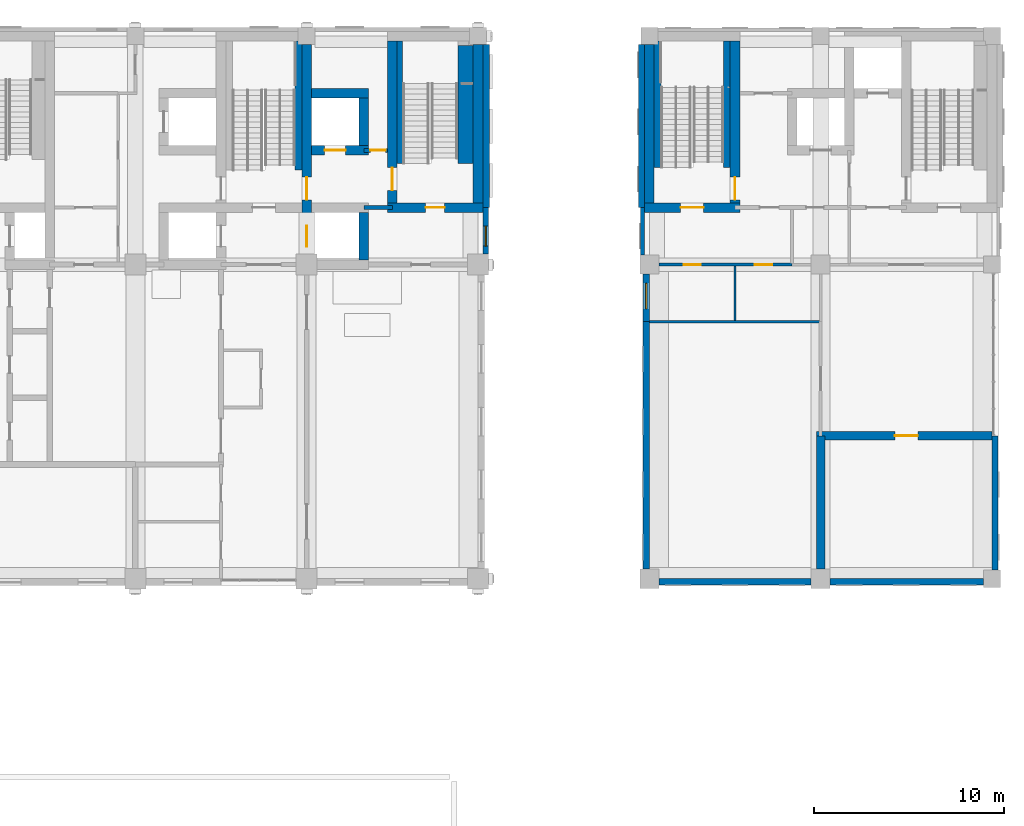
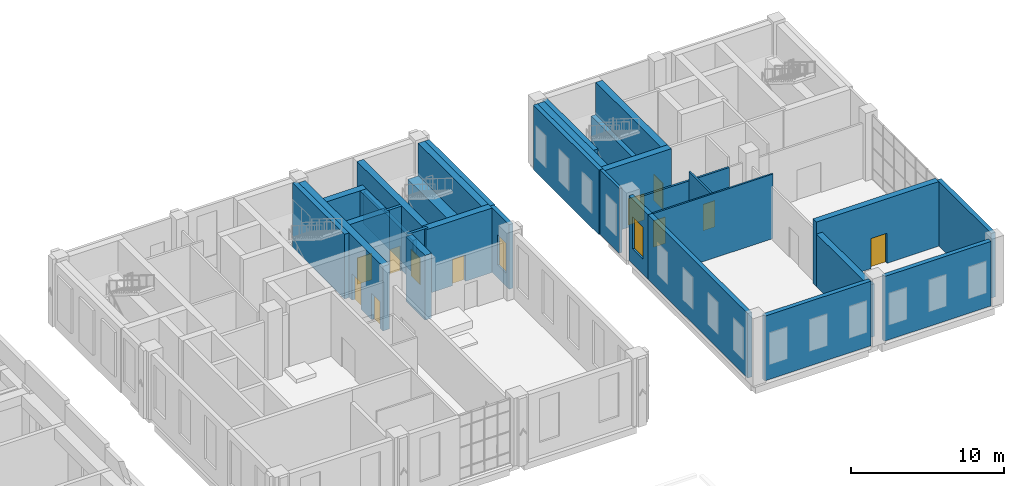
# One storey, part 23 of 37: 32 walls, 11 doors, 2 windows, 13 openings.
"""IFC4 building model written with IfcOpenShell, lengths in metres."""

from ifc_helpers import new_model, si_unit, direction, frame, frame_2d, origin, place, context, subcontext, project, spatial, rectangle, extrude, material, layer, layer_set, type_object, element, fill, save


model = new_model("IFC4")

# Units and contexts
model_context = context("Model", 3, precision=1e-05, world=origin(), true_north=direction((0.0, 1.0)))
body_context = subcontext(model_context, "Body", "Model", "MODEL_VIEW")
ifc_project = project(units=[si_unit("LENGTHUNIT", "METRE"), si_unit("AREAUNIT", "SQUARE_METRE"), si_unit("VOLUMEUNIT", "CUBIC_METRE"), si_unit("PLANEANGLEUNIT", "RADIAN"), si_unit("MASSUNIT", "GRAM", prefix="KILO")], contexts=[model_context])

# Site, building, storey
site_placement = place(None, origin())
site = spatial("IfcSite", under=ifc_project, at=site_placement, CompositionType="ELEMENT")
building_placement = place(site_placement, origin())
building = spatial("IfcBuilding", under=site, at=building_placement, Name="Aurelan Courthouse", CompositionType="ELEMENT")
storey_placement = place(building_placement, frame((0.0, 0.0, 17.39990234375)))
storey = spatial("IfcBuildingStorey", under=building, at=storey_placement, Name="L03", CompositionType="ELEMENT", Elevation=17.39990234375)

# Wall, opening, door
ifc_material_1 = material(Name="Reinforced concrete block", Category="concrete")
ifc_layer_1 = layer(ifc_material_1, 0.449951171875)
ifc_layer_set_1 = layer_set([ifc_layer_1], Name="Reinforced concrete block")
wall_type_1 = type_object("IfcWallType", Name="Archive fire wall 450 EI 60", PredefinedType="PARTITIONING", material=ifc_layer_set_1)
wall_1_placement = place(storey_placement, frame((80.77490234375, 45.0, 0.0), z_axis=(0.0, 0.0, 1.0), x_axis=(1.0, 0.0, 0.0)))
wall_1 = element("IfcWall", 1, at=wall_1_placement, inside=storey, type_object=wall_type_1, Name="Archive fire wall L03-020", PredefinedType="PARTITIONING", context=body_context, shape_type="SweptSolid", body=[
    extrude(rectangle(XDim=9.22509765625, YDim=0.449951171875, at=frame_2d((4.612548828125, 0.0))), origin(), (0.0, 0.0, 1.0), 5.150146484375),
])
opening_1_placement = place(wall_1_placement, frame((4.125, 0.0, 0.0)))
opening_1 = element("IfcOpeningElement", 2, at=opening_1_placement, cuts=wall_1, Name="Opening D-L03-046", PredefinedType="OPENING", context=body_context, shape_type="SweptSolid", body=[
    extrude(rectangle(XDim=1.199951171875, YDim=2.39990234375, at=frame_2d((0.60009765625, 1.199951171875))), frame((0.0, 0.23486328125, 0.0), z_axis=(0.0, -1.0, 0.0), x_axis=(1.0, 0.0, 0.0)), (0.0, 0.0, 1.0), 0.469970703125),
])
ifc_material_2 = material(Name="Steel", Category="steel")
door_type_1 = type_object("IfcDoorType", Name="Single door 1200 x 2400 FD60", OperationType="SINGLE_SWING_LEFT", PredefinedType="DOOR", material=ifc_material_2)
door_1_placement = place(opening_1_placement, origin())
door_1 = element("IfcDoor", 3, at=door_1_placement, inside=storey, type_object=door_type_1, Name="Single door D-L03-046", OperationType="SINGLE_SWING_LEFT", OverallHeight=2.39990234375, OverallWidth=1.199951171875, PredefinedType="DOOR", context=body_context, shape_type="SweptSolid", body=[
    extrude(rectangle(XDim=1.199951171875, YDim=2.39990234375, at=frame_2d((0.60009765625, 1.199951171875))), frame((0.0, 0.02490234375, 0.0), z_axis=(0.0, -1.0, 0.0), x_axis=(1.0, 0.0, 0.0)), (0.0, 0.0, 1.0), 0.050048828125),
])
fill(opening_1, door_1)

# Wall
wall_2_placement = place(storey_placement, frame((81.0, 38.0, 0.0), z_axis=(0.0, 0.0, 1.0), x_axis=(0.0, 1.0, 0.0)))
element("IfcWall", 4, at=wall_2_placement, inside=storey, type_object=wall_type_1, Name="Archive fire wall L03-076", PredefinedType="PARTITIONING", context=body_context, shape_type="SweptSolid", body=[
    extrude(rectangle(XDim=7.0, YDim=0.449951171875, at=frame_2d((3.5, 0.0))), origin(), (0.0, 0.0, 1.0), 4.2001953125),
])

# Wall, openings, doors
ifc_material_3 = material(Name="Gypsum board on metal studs")
ifc_layer_2 = layer(ifc_material_3, 0.14990234375)
ifc_layer_set_2 = layer_set([ifc_layer_2], Name="Gypsum board on metal studs")
wall_type_2 = type_object("IfcWallType", Name="Corridor partition 150 EI 60", PredefinedType="PARTITIONING", material=ifc_layer_set_2)
wall_3_placement = place(storey_placement, frame((72.5, 54.0, 0.0), z_axis=(0.0, 0.0, 1.0), x_axis=(1.0, 0.0, 0.0)))
wall_3 = element("IfcWall", 5, at=wall_3_placement, inside=storey, type_object=wall_type_2, Name="Corridor partition L03-035", PredefinedType="PARTITIONING", context=body_context, shape_type="SweptSolid", body=[
    extrude(rectangle(XDim=7.0, YDim=0.14990234375, at=frame_2d((3.5, 0.0))), origin(), (0.0, 0.0, 1.0), 4.400146484375),
])
opening_2_placement = place(wall_3_placement, frame((2.199951171875, 0.0, 0.0), z_axis=(0.0, 0.0, 1.0), x_axis=(-1.0, 0.0, 0.0)))
opening_2 = element("IfcOpeningElement", 6, at=opening_2_placement, cuts=wall_3, Name="Opening D-L03-043", PredefinedType="OPENING", context=body_context, shape_type="SweptSolid", body=[
    extrude(rectangle(XDim=0.89990234375, YDim=2.10009765625, at=frame_2d((0.449951171875, 1.050048828125))), frame((0.0, 0.0849609375, 0.0), z_axis=(0.0, -1.0, 0.0), x_axis=(1.0, 0.0, 0.0)), (0.0, 0.0, 1.0), 0.169921875),
])
opening_3_placement = place(wall_3_placement, frame((5.949951171875, 0.0, 0.0), z_axis=(0.0, 0.0, 1.0), x_axis=(-1.0, 0.0, 0.0)))
opening_3 = element("IfcOpeningElement", 7, at=opening_3_placement, cuts=wall_3, Name="Opening D-L03-044", PredefinedType="OPENING", context=body_context, shape_type="SweptSolid", body=[
    extrude(rectangle(XDim=0.89990234375, YDim=2.10009765625, at=frame_2d((0.449951171875, 1.050048828125))), frame((0.0, 0.0849609375, 0.0), z_axis=(0.0, -1.0, 0.0), x_axis=(1.0, 0.0, 0.0)), (0.0, 0.0, 1.0), 0.169921875),
])
door_type_2 = type_object("IfcDoorType", Name="Single door 900 x 2100 FD60", OperationType="SINGLE_SWING_LEFT", PredefinedType="DOOR", material=ifc_material_2)
door_2_placement = place(opening_2_placement, origin())
door_2 = element("IfcDoor", 8, at=door_2_placement, inside=storey, type_object=door_type_2, Name="Single door D-L03-043", OperationType="SINGLE_SWING_LEFT", OverallHeight=2.10009765625, OverallWidth=0.89990234375, PredefinedType="DOOR", context=body_context, shape_type="SweptSolid", body=[
    extrude(rectangle(XDim=0.89990234375, YDim=2.10009765625, at=frame_2d((0.449951171875, 1.050048828125))), frame((0.0, 0.02490234375, 0.0), z_axis=(0.0, -1.0, 0.0), x_axis=(1.0, 0.0, 0.0)), (0.0, 0.0, 1.0), 0.050048828125),
])
fill(opening_2, door_2)
door_3_placement = place(opening_3_placement, origin())
door_3 = element("IfcDoor", 9, at=door_3_placement, inside=storey, type_object=door_type_2, Name="Single door D-L03-044", OperationType="SINGLE_SWING_RIGHT", OverallHeight=2.10009765625, OverallWidth=0.89990234375, PredefinedType="DOOR", context=body_context, shape_type="SweptSolid", body=[
    extrude(rectangle(XDim=0.89990234375, YDim=2.10009765625, at=frame_2d((0.449951171875, 1.050048828125))), frame((0.0, 0.02490234375, 0.0), z_axis=(0.0, -1.0, 0.0), x_axis=(1.0, 0.0, 0.0)), (0.0, 0.0, 1.0), 0.050048828125),
])
fill(opening_3, door_3)

# Wall, opening, window
ifc_material_4 = material(Name="Limestone cladding", Category="masonry")
ifc_layer_3 = layer(ifc_material_4, 0.0849609375, Name="Facing")
ifc_material_5 = material(Name="Ventilated cavity")
ifc_layer_4 = layer(ifc_material_5, 0.02490234375, ventilated=True, Name="Ventilated cavity")
ifc_material_6 = material(Name="Mineral wool insulation")
ifc_layer_5 = layer(ifc_material_6, 0.044921875, Name="Insulation")
ifc_material_7 = material(Name="Concrete C30", Category="concrete")
ifc_layer_6 = layer(ifc_material_7, 0.14501953125, Name="Structure")
ifc_layer_set_3 = layer_set([ifc_layer_3, ifc_layer_4, ifc_layer_5, ifc_layer_6], Name="Concrete C30")
wall_type_3 = type_object("IfcWallType", Name="Courtroom Block stone-faced wall 300", PredefinedType="SOLIDWALL", material=ifc_layer_set_3)
wall_4_placement = place(storey_placement, frame((63.39990234375, 54.550048828125, 0.0), z_axis=(0.0, 0.0, 1.0), x_axis=(0.0, 1.0, 0.0)))
wall_4 = element("IfcWall", 10, at=wall_4_placement, inside=storey, type_object=wall_type_3, Name="Facade wall FW-V2-L03-008", PredefinedType="SOLIDWALL", context=body_context, shape_type="SweptSolid", body=[
    extrude(rectangle(XDim=2.449951171875, YDim=0.300048828125, at=frame_2d((1.22509765625, 0.0))), origin(), (0.0, 0.0, 1.0), 5.150146484375),
])
opening_4_placement = place(wall_4_placement, frame((0.425048828125, 0.0, 1.050048828125)))
opening_4 = element("IfcOpeningElement", 11, at=opening_4_placement, cuts=wall_4, Name="Opening WN-V2-L03-013", PredefinedType="OPENING", context=body_context, shape_type="SweptSolid", body=[
    extrude(rectangle(XDim=1.050048828125, YDim=2.39990234375, at=frame_2d((0.52490234375, 1.199951171875))), frame((0.0, 0.159912109375, 0.0), z_axis=(0.0, -1.0, 0.0), x_axis=(1.0, 0.0, 0.0)), (0.0, 0.0, 1.0), 0.320068359375),
])
ifc_material_8 = material(Name="Bronze-finished aluminium and glass", Category="aluminium")
window_type_1 = type_object("IfcWindowType", Name="Courtroom Block window 1050 x 2400, sill 1050", PartitioningType="SINGLE_PANEL", PredefinedType="WINDOW", material=ifc_material_8)
window_1_placement = place(opening_4_placement, origin())
window_1 = element("IfcWindow", 12, at=window_1_placement, inside=storey, type_object=window_type_1, Name="Window WN-V2-L03-013", OverallHeight=2.39990234375, OverallWidth=1.050048828125, PartitioningType="SINGLE_PANEL", PredefinedType="WINDOW", context=body_context, shape_type="SweptSolid", body=[
    extrude(rectangle(XDim=1.050048828125, YDim=2.39990234375, at=frame_2d((0.52490234375, 1.199951171875))), frame((0.0, 0.030029296875, 0.0), z_axis=(0.0, -1.0, 0.0), x_axis=(1.0, 0.0, 0.0)), (0.0, 0.0, 1.0), 0.06005859375),
])
fill(opening_4, window_1)

# Walls
ifc_layer_7 = layer(ifc_material_4, 0.10009765625, Name="Facing")
ifc_layer_8 = layer(ifc_material_5, 0.02490234375, ventilated=True, Name="Ventilated cavity")
ifc_layer_9 = layer(ifc_material_6, 0.050048828125, Name="Insulation")
ifc_layer_10 = layer(ifc_material_7, 0.175048828125, Name="Structure")
ifc_layer_set_4 = layer_set([ifc_layer_7, ifc_layer_8, ifc_layer_9, ifc_layer_10], Name="Concrete C30")
wall_type_4 = type_object("IfcWallType", Name="Courtroom Block stone-faced wall 350", PredefinedType="SOLIDWALL", material=ifc_layer_set_4)
wall_5_placement = place(storey_placement, frame((63.425048828125, 57.0, 0.0), z_axis=(0.0, 0.0, 1.0), x_axis=(0.0, 1.0, 0.0)))
element("IfcWall", 13, at=wall_5_placement, inside=storey, type_object=wall_type_4, Name="Facade wall FW-V2-L03-009", PredefinedType="SOLIDWALL", context=body_context, shape_type="SweptSolid", body=[
    extrude(rectangle(XDim=8.550048828125, YDim=0.35009765625, at=frame_2d((4.27490234375, 0.0))), origin(), (0.0, 0.0, 1.0), 5.150146484375),
])
ifc_layer_11 = layer(ifc_material_4, 0.06494140625, Name="Facing")
ifc_layer_12 = layer(ifc_material_5, 0.02490234375, ventilated=True, Name="Ventilated cavity")
ifc_layer_13 = layer(ifc_material_6, 0.030029296875, Name="Insulation")
ifc_layer_14 = layer(ifc_material_7, 0.10009765625, Name="Structure")
ifc_layer_set_5 = layer_set([ifc_layer_11, ifc_layer_12, ifc_layer_13, ifc_layer_14], Name="Concrete C30")
wall_type_5 = type_object("IfcWallType", Name="Law Library stone-faced wall 220", PredefinedType="SOLIDWALL", material=ifc_layer_set_5)
wall_6_placement = place(storey_placement, frame((71.639892578125, 54.5, 0.0), z_axis=(0.0, 0.0, 1.0), x_axis=(0.0, 1.0, 0.0)))
element("IfcWall", 14, at=wall_6_placement, inside=storey, type_object=wall_type_5, Name="Facade wall FW-V3-L03-010", PredefinedType="SOLIDWALL", context=body_context, shape_type="SweptSolid", body=[
    extrude(rectangle(XDim=2.5, YDim=0.219970703125, at=frame_2d((1.25, 0.0))), origin(), (0.0, 0.0, 1.0), 5.150146484375),
])
ifc_layer_15 = layer(ifc_material_4, 0.090087890625, Name="Facing")
ifc_layer_16 = layer(ifc_material_5, 0.02490234375, ventilated=True, Name="Ventilated cavity")
ifc_layer_17 = layer(ifc_material_6, 0.044921875, Name="Insulation")
ifc_layer_18 = layer(ifc_material_7, 0.159912109375, Name="Structure")
ifc_layer_set_6 = layer_set([ifc_layer_15, ifc_layer_16, ifc_layer_17, ifc_layer_18], Name="Concrete C30")
wall_type_6 = type_object("IfcWallType", Name="Law Library stone-faced wall 320", PredefinedType="SOLIDWALL", material=ifc_layer_set_6)
wall_7_placement = place(storey_placement, frame((72.5, 37.340087890625, 0.0), z_axis=(0.0, 0.0, 1.0), x_axis=(1.0, 0.0, 0.0)))
element("IfcWall", 15, at=wall_7_placement, inside=storey, type_object=wall_type_6, Name="Facade wall FW-V3-L03-001", PredefinedType="SOLIDWALL", context=body_context, shape_type="SweptSolid", body=[
    extrude(rectangle(XDim=8.0, YDim=0.320068359375, at=frame_2d((4.0, 0.0))), origin(), (0.0, 0.0, 1.0), 5.150146484375),
])
wall_8_placement = place(storey_placement, frame((81.5, 37.340087890625, 0.0), z_axis=(0.0, 0.0, 1.0), x_axis=(1.0, 0.0, 0.0)))
element("IfcWall", 16, at=wall_8_placement, inside=storey, type_object=wall_type_6, Name="Facade wall FW-V3-L03-002", PredefinedType="SOLIDWALL", context=body_context, shape_type="SweptSolid", body=[
    extrude(rectangle(XDim=8.050048828125, YDim=0.320068359375, at=frame_2d((4.02490234375, 0.0))), origin(), (0.0, 0.0, 1.0), 5.150146484375),
])
wall_9_placement = place(storey_placement, frame((90.159912109375, 37.949951171875, 0.0), z_axis=(0.0, 0.0, 1.0), x_axis=(0.0, 1.0, 0.0)))
element("IfcWall", 17, at=wall_9_placement, inside=storey, type_object=wall_type_6, Name="Facade wall FW-V3-L03-005", PredefinedType="SOLIDWALL", context=body_context, shape_type="SweptSolid", body=[
    extrude(rectangle(XDim=7.050048828125, YDim=0.320068359375, at=frame_2d((3.52490234375, 0.0))), origin(), (0.0, 0.0, 1.0), 5.150146484375),
])
wall_10_placement = place(storey_placement, frame((71.840087890625, 38.0, 0.0), z_axis=(0.0, 0.0, 1.0), x_axis=(0.0, 1.0, 0.0)))
element("IfcWall", 18, at=wall_10_placement, inside=storey, type_object=wall_type_6, Name="Facade wall FW-V3-L03-008", PredefinedType="SOLIDWALL", context=body_context, shape_type="SweptSolid", body=[
    extrude(rectangle(XDim=13.0, YDim=0.320068359375, at=frame_2d((6.5, 0.0))), origin(), (0.0, 0.0, 1.0), 5.150146484375),
])

# Wall, opening, window
wall_11_placement = place(storey_placement, frame((71.840087890625, 51.0, 0.0), z_axis=(0.0, 0.0, 1.0), x_axis=(0.0, 1.0, 0.0)))
wall_11 = element("IfcWall", 19, at=wall_11_placement, inside=storey, type_object=wall_type_6, Name="Facade wall FW-V3-L03-009", PredefinedType="SOLIDWALL", context=body_context, shape_type="SweptSolid", body=[
    extrude(rectangle(XDim=2.5, YDim=0.320068359375, at=frame_2d((1.25, 0.0))), origin(), (0.0, 0.0, 1.0), 5.150146484375),
])
opening_5_placement = place(wall_11_placement, frame((0.675048828125, 0.0, 1.199951171875)))
opening_5 = element("IfcOpeningElement", 20, at=opening_5_placement, cuts=wall_11, Name="Opening WN-V3-L03-001", PredefinedType="OPENING", context=body_context, shape_type="SweptSolid", body=[
    extrude(rectangle(XDim=1.35009765625, YDim=2.550048828125, at=frame_2d((0.675048828125, 1.27490234375))), frame((0.0, 0.169921875, 0.0), z_axis=(0.0, -1.0, 0.0), x_axis=(1.0, 0.0, 0.0)), (0.0, 0.0, 1.0), 0.340087890625),
])
window_type_2 = type_object("IfcWindowType", Name="Law Library window 1350 x 2550, sill 1200", PartitioningType="SINGLE_PANEL", PredefinedType="WINDOW", material=ifc_material_8)
window_2_placement = place(opening_5_placement, origin())
window_2 = element("IfcWindow", 21, at=window_2_placement, inside=storey, type_object=window_type_2, Name="Window WN-V3-L03-001", OverallHeight=2.550048828125, OverallWidth=1.35009765625, PartitioningType="SINGLE_PANEL", PredefinedType="WINDOW", context=body_context, shape_type="SweptSolid", body=[
    extrude(rectangle(XDim=1.35009765625, YDim=2.550048828125, at=frame_2d((0.675048828125, 1.27490234375))), frame((0.0, 0.030029296875, 0.0), z_axis=(0.0, -1.0, 0.0), x_axis=(1.0, 0.0, 0.0)), (0.0, 0.0, 1.0), 0.06005859375),
])
fill(opening_5, window_2)

# Walls
wall_12_placement = place(storey_placement, frame((71.590087890625, 57.0, 0.0), z_axis=(0.0, 0.0, 1.0), x_axis=(0.0, 1.0, 0.0)))
element("IfcWall", 22, at=wall_12_placement, inside=storey, type_object=wall_type_6, Name="Facade wall FW-V3-L03-011", PredefinedType="SOLIDWALL", context=body_context, shape_type="SweptSolid", body=[
    extrude(rectangle(XDim=8.550048828125, YDim=0.320068359375, at=frame_2d((4.27490234375, 0.0))), origin(), (0.0, 0.0, 1.0), 5.150146484375),
])
ifc_material_9 = material(Name="Masonry block", Category="masonry")
ifc_layer_19 = layer(ifc_material_9, 0.199951171875)
ifc_layer_set_7 = layer_set([ifc_layer_19], Name="Masonry block")
wall_type_7 = type_object("IfcWallType", Name="Lift lobby wall 200 EI 60", PredefinedType="PARTITIONING", material=ifc_layer_set_7)
wall_13_placement = place(storey_placement, frame((57.0, 57.0, 0.0), z_axis=(0.0, 0.0, 1.0), x_axis=(1.0, 0.0, 0.0)))
element("IfcWall", 23, at=wall_13_placement, inside=storey, type_object=wall_type_7, Name="Lift lobby wall L03-043", PredefinedType="PARTITIONING", context=body_context, shape_type="SweptSolid", body=[
    extrude(rectangle(XDim=1.5, YDim=0.199951171875, at=frame_2d((0.75, 0.0))), origin(), (0.0, 0.0, 1.0), 5.150146484375),
])
ifc_material_10 = material(Name="Concrete C50", Category="concrete")
ifc_layer_20 = layer(ifc_material_10, 0.5)
ifc_layer_set_8 = layer_set([ifc_layer_20], Name="Concrete C50")
wall_type_8 = type_object("IfcWallType", Name="RC shear wall 500", PredefinedType="SHEAR", material=ifc_layer_set_8)
wall_14_placement = place(storey_placement, frame((57.0, 54.25, 0.0), z_axis=(0.0, 0.0, 1.0), x_axis=(0.0, 1.0, 0.0)))
element("IfcWall", 24, at=wall_14_placement, inside=storey, type_object=wall_type_8, Name="Core wall SW-L03-023", PredefinedType="SHEAR", context=body_context, shape_type="SweptSolid", body=[
    extrude(rectangle(XDim=2.5, YDim=0.5, at=frame_2d((1.25, 0.0))), origin(), (0.0, 0.0, 1.0), 5.150146484375),
])

# Wall, openings, doors
wall_15_placement = place(storey_placement, frame((54.0, 54.550048828125, 0.0), z_axis=(0.0, 0.0, 1.0), x_axis=(0.0, 1.0, 0.0)))
wall_15 = element("IfcWall", 25, at=wall_15_placement, inside=storey, type_object=wall_type_8, Name="Core wall SW-L03-024", PredefinedType="SHEAR", context=body_context, shape_type="SweptSolid", body=[
    extrude(rectangle(XDim=11.0, YDim=0.5, at=frame_2d((5.5, 0.0))), origin(), (0.0, 0.0, 1.0), 5.150146484375),
])
opening_6_placement = place(wall_15_placement, frame((0.39990234375, 0.0, 0.0)))
opening_6 = element("IfcOpeningElement", 26, at=opening_6_placement, cuts=wall_15, Name="Opening LD-V2-P2-L03", PredefinedType="OPENING", context=body_context, shape_type="SweptSolid", body=[
    extrude(rectangle(XDim=1.10009765625, YDim=2.10009765625, at=frame_2d((0.550048828125, 1.050048828125))), frame((0.0, 0.260009765625, 0.0), z_axis=(0.0, -1.0, 0.0), x_axis=(1.0, 0.0, 0.0)), (0.0, 0.0, 1.0), 0.52001953125),
])
opening_7_placement = place(wall_15_placement, frame((2.85009765625, 0.0, 0.0)))
opening_7 = element("IfcOpeningElement", 27, at=opening_7_placement, cuts=wall_15, Name="Opening D-L03-007", PredefinedType="OPENING", context=body_context, shape_type="SweptSolid", body=[
    extrude(rectangle(XDim=1.199951171875, YDim=2.10009765625, at=frame_2d((0.60009765625, 1.050048828125))), frame((0.0, 0.260009765625, 0.0), z_axis=(0.0, -1.0, 0.0), x_axis=(1.0, 0.0, 0.0)), (0.0, 0.0, 1.0), 0.52001953125),
])
door_type_3 = type_object("IfcDoorType", Name="Lift landing door 1100 x 2100 FD90", OperationType="SLIDING_TO_LEFT", PredefinedType="DOOR", material=ifc_material_2)
door_4_placement = place(opening_6_placement, origin())
door_4 = element("IfcDoor", 28, at=door_4_placement, inside=storey, type_object=door_type_3, Name="Lift landing door LD-V2-P2-L03", OperationType="SLIDING_TO_LEFT", OverallHeight=2.10009765625, OverallWidth=1.10009765625, PredefinedType="DOOR", context=body_context, shape_type="SweptSolid", body=[
    extrude(rectangle(XDim=1.10009765625, YDim=2.10009765625, at=frame_2d((0.550048828125, 1.050048828125))), frame((0.0, 0.02490234375, 0.0), z_axis=(0.0, -1.0, 0.0), x_axis=(1.0, 0.0, 0.0)), (0.0, 0.0, 1.0), 0.050048828125),
])
fill(opening_6, door_4)
door_type_4 = type_object("IfcDoorType", Name="Single door 1200 x 2100 FD90", OperationType="SINGLE_SWING_LEFT", PredefinedType="DOOR", material=ifc_material_2)
door_5_placement = place(opening_7_placement, origin())
door_5 = element("IfcDoor", 29, at=door_5_placement, inside=storey, type_object=door_type_4, Name="Single door D-L03-007", OperationType="SINGLE_SWING_LEFT", OverallHeight=2.10009765625, OverallWidth=1.199951171875, PredefinedType="DOOR", context=body_context, shape_type="SweptSolid", body=[
    extrude(rectangle(XDim=1.199951171875, YDim=2.10009765625, at=frame_2d((0.60009765625, 1.050048828125))), frame((0.0, 0.02490234375, 0.0), z_axis=(0.0, -1.0, 0.0), x_axis=(1.0, 0.0, 0.0)), (0.0, 0.0, 1.0), 0.050048828125),
])
fill(opening_7, door_5)

# Wall, opening, door
wall_16_placement = place(storey_placement, frame((58.25, 57.0, 0.0), z_axis=(0.0, 0.0, 1.0), x_axis=(1.0, 0.0, 0.0)))
wall_16 = element("IfcWall", 30, at=wall_16_placement, inside=storey, type_object=wall_type_8, Name="Core wall SW-L03-029", PredefinedType="SHEAR", context=body_context, shape_type="SweptSolid", body=[
    extrude(rectangle(XDim=5.0, YDim=0.5, at=frame_2d((2.5, 0.0))), origin(), (0.0, 0.0, 1.0), 5.150146484375),
])
opening_8_placement = place(wall_16_placement, frame((2.0, 0.0, 0.0)))
opening_8 = element("IfcOpeningElement", 31, at=opening_8_placement, cuts=wall_16, Name="Opening D-L03-030", PredefinedType="OPENING", context=body_context, shape_type="SweptSolid", body=[
    extrude(rectangle(XDim=1.0, YDim=2.10009765625, at=frame_2d((0.5, 1.050048828125))), frame((0.0, 0.260009765625, 0.0), z_axis=(0.0, -1.0, 0.0), x_axis=(1.0, 0.0, 0.0)), (0.0, 0.0, 1.0), 0.52001953125),
])
door_type_5 = type_object("IfcDoorType", Name="Single door 1000 x 2100 FD90", OperationType="SINGLE_SWING_LEFT", PredefinedType="DOOR", material=ifc_material_2)
door_6_placement = place(opening_8_placement, origin())
door_6 = element("IfcDoor", 32, at=door_6_placement, inside=storey, type_object=door_type_5, Name="Single door D-L03-030", OperationType="SINGLE_SWING_LEFT", OverallHeight=2.10009765625, OverallWidth=1.0, PredefinedType="DOOR", context=body_context, shape_type="SweptSolid", body=[
    extrude(rectangle(XDim=1.0, YDim=2.10009765625, at=frame_2d((0.5, 1.050048828125))), frame((0.0, 0.02490234375, 0.0), z_axis=(0.0, -1.0, 0.0), x_axis=(1.0, 0.0, 0.0)), (0.0, 0.0, 1.0), 0.050048828125),
])
fill(opening_8, door_6)

wall_17_placement = place(storey_placement, frame((71.75, 57.0, 0.0), z_axis=(0.0, 0.0, 1.0), x_axis=(1.0, 0.0, 0.0)))
wall_17 = element("IfcWall", 33, at=wall_17_placement, inside=storey, type_object=wall_type_8, Name="Core wall SW-L03-030", PredefinedType="SHEAR", context=body_context, shape_type="SweptSolid", body=[
    extrude(rectangle(XDim=5.0, YDim=0.5, at=frame_2d((2.5, 0.0))), origin(), (0.0, 0.0, 1.0), 5.150146484375),
])
opening_9_placement = place(wall_17_placement, frame((1.89990234375, 0.0, 0.0)))
opening_9 = element("IfcOpeningElement", 34, at=opening_9_placement, cuts=wall_17, Name="Opening D-L03-041", PredefinedType="OPENING", context=body_context, shape_type="SweptSolid", body=[
    extrude(rectangle(XDim=1.199951171875, YDim=2.10009765625, at=frame_2d((0.60009765625, 1.050048828125))), frame((0.0, 0.260009765625, 0.0), z_axis=(0.0, -1.0, 0.0), x_axis=(1.0, 0.0, 0.0)), (0.0, 0.0, 1.0), 0.52001953125),
])
door_7_placement = place(opening_9_placement, origin())
door_7 = element("IfcDoor", 35, at=door_7_placement, inside=storey, type_object=door_type_4, Name="Single door D-L03-041", OperationType="SINGLE_SWING_RIGHT", OverallHeight=2.10009765625, OverallWidth=1.199951171875, PredefinedType="DOOR", context=body_context, shape_type="SweptSolid", body=[
    extrude(rectangle(XDim=1.199951171875, YDim=2.10009765625, at=frame_2d((0.60009765625, 1.050048828125))), frame((0.0, 0.02490234375, 0.0), z_axis=(0.0, -1.0, 0.0), x_axis=(1.0, 0.0, 0.0)), (0.0, 0.0, 1.0), 0.050048828125),
])
fill(opening_9, door_7)

wall_18_placement = place(storey_placement, frame((58.5, 57.25, 0.0), z_axis=(0.0, 0.0, 1.0), x_axis=(0.0, 1.0, 0.0)))
wall_18 = element("IfcWall", 36, at=wall_18_placement, inside=storey, type_object=wall_type_8, Name="Core wall SW-L03-039", PredefinedType="SHEAR", context=body_context, shape_type="SweptSolid", body=[
    extrude(rectangle(XDim=8.5, YDim=0.5, at=frame_2d((4.25, 0.0))), origin(), (0.0, 0.0, 1.0), 5.150146484375),
])
opening_10_placement = place(wall_18_placement, frame((1.849853515625, 0.0, 0.0), z_axis=(0.0, 0.0, 1.0), x_axis=(-1.0, 0.0, 0.0)))
opening_10 = element("IfcOpeningElement", 37, at=opening_10_placement, cuts=wall_18, Name="Opening D-L03-008", PredefinedType="OPENING", context=body_context, shape_type="SweptSolid", body=[
    extrude(rectangle(XDim=1.199951171875, YDim=2.10009765625, at=frame_2d((0.60009765625, 1.050048828125))), frame((0.0, 0.260009765625, 0.0), z_axis=(0.0, -1.0, 0.0), x_axis=(1.0, 0.0, 0.0)), (0.0, 0.0, 1.0), 0.52001953125),
])
door_8_placement = place(opening_10_placement, origin())
door_8 = element("IfcDoor", 38, at=door_8_placement, inside=storey, type_object=door_type_4, Name="Single door D-L03-008", OperationType="SINGLE_SWING_RIGHT", OverallHeight=2.10009765625, OverallWidth=1.199951171875, PredefinedType="DOOR", context=body_context, shape_type="SweptSolid", body=[
    extrude(rectangle(XDim=1.199951171875, YDim=2.10009765625, at=frame_2d((0.60009765625, 1.050048828125))), frame((0.0, 0.02490234375, 0.0), z_axis=(0.0, -1.0, 0.0), x_axis=(1.0, 0.0, 0.0)), (0.0, 0.0, 1.0), 0.050048828125),
])
fill(opening_10, door_8)

# Walls
for number, where, z_axis, x_axis, name in (
    (39, (63.0, 57.25, 0.0), (0.0, 0.0, 1.0), (0.0, 1.0, 0.0), "Core wall SW-L03-040"),
    (40, (72.0, 57.25, 0.0), (0.0, 0.0, 1.0), (0.0, 1.0, 0.0), "Core wall SW-L03-041"),
):
    element("IfcWall", number, at=place(storey_placement, frame(where, z_axis=z_axis, x_axis=x_axis)), inside=storey, type_object=wall_type_8, Name=name, PredefinedType="SHEAR", context=body_context, shape_type="SweptSolid", body=[
        extrude(rectangle(XDim=8.300048828125, YDim=0.5, at=frame_2d((4.14990234375, 0.0))), origin(), (0.0, 0.0, 1.0), 5.150146484375),
    ])

# Wall, opening, door
wall_19_placement = place(storey_placement, frame((76.5, 57.25, 0.0), z_axis=(0.0, 0.0, 1.0), x_axis=(0.0, 1.0, 0.0)))
wall_19 = element("IfcWall", 41, at=wall_19_placement, inside=storey, type_object=wall_type_8, Name="Core wall SW-L03-042", PredefinedType="SHEAR", context=body_context, shape_type="SweptSolid", body=[
    extrude(rectangle(XDim=8.5, YDim=0.5, at=frame_2d((4.25, 0.0))), origin(), (0.0, 0.0, 1.0), 5.150146484375),
])
opening_11_placement = place(wall_19_placement, frame((0.14990234375, 0.0, 0.0)))
opening_11 = element("IfcOpeningElement", 42, at=opening_11_placement, cuts=wall_19, Name="Opening D-L03-032", PredefinedType="OPENING", context=body_context, shape_type="SweptSolid", body=[
    extrude(rectangle(XDim=1.199951171875, YDim=2.10009765625, at=frame_2d((0.60009765625, 1.050048828125))), frame((0.0, 0.260009765625, 0.0), z_axis=(0.0, -1.0, 0.0), x_axis=(1.0, 0.0, 0.0)), (0.0, 0.0, 1.0), 0.52001953125),
])
door_9_placement = place(opening_11_placement, origin())
door_9 = element("IfcDoor", 43, at=door_9_placement, inside=storey, type_object=door_type_4, Name="Single door D-L03-032", OperationType="SINGLE_SWING_LEFT", OverallHeight=2.10009765625, OverallWidth=1.199951171875, PredefinedType="DOOR", context=body_context, shape_type="SweptSolid", body=[
    extrude(rectangle(XDim=1.199951171875, YDim=2.10009765625, at=frame_2d((0.60009765625, 1.050048828125))), frame((0.0, 0.02490234375, 0.0), z_axis=(0.0, -1.0, 0.0), x_axis=(1.0, 0.0, 0.0)), (0.0, 0.0, 1.0), 0.050048828125),
])
fill(opening_11, door_9)

wall_20_placement = place(storey_placement, frame((54.25, 60.0, 0.0), z_axis=(0.0, 0.0, 1.0), x_axis=(1.0, 0.0, 0.0)))
wall_20 = element("IfcWall", 44, at=wall_20_placement, inside=storey, type_object=wall_type_8, Name="Core wall SW-L03-048", PredefinedType="SHEAR", context=body_context, shape_type="SweptSolid", body=[
    extrude(rectangle(XDim=3.0, YDim=0.5, at=frame_2d((1.5, 0.0))), origin(), (0.0, 0.0, 1.0), 5.150146484375),
])
opening_12_placement = place(wall_20_placement, frame((0.699951171875, 0.0, 0.0)))
opening_12 = element("IfcOpeningElement", 45, at=opening_12_placement, cuts=wall_20, Name="Opening LD-V2-F1-L03", PredefinedType="OPENING", context=body_context, shape_type="SweptSolid", body=[
    extrude(rectangle(XDim=1.10009765625, YDim=2.10009765625, at=frame_2d((0.550048828125, 1.050048828125))), frame((0.0, 0.260009765625, 0.0), z_axis=(0.0, -1.0, 0.0), x_axis=(1.0, 0.0, 0.0)), (0.0, 0.0, 1.0), 0.52001953125),
])
door_10_placement = place(opening_12_placement, origin())
door_10 = element("IfcDoor", 46, at=door_10_placement, inside=storey, type_object=door_type_3, Name="Lift landing door LD-V2-F1-L03", OperationType="SLIDING_TO_LEFT", OverallHeight=2.10009765625, OverallWidth=1.10009765625, PredefinedType="DOOR", context=body_context, shape_type="SweptSolid", body=[
    extrude(rectangle(XDim=1.10009765625, YDim=2.10009765625, at=frame_2d((0.550048828125, 1.050048828125))), frame((0.0, 0.02490234375, 0.0), z_axis=(0.0, -1.0, 0.0), x_axis=(1.0, 0.0, 0.0)), (0.0, 0.0, 1.0), 0.050048828125),
])
fill(opening_12, door_10)

# Walls
wall_21_placement = place(storey_placement, frame((57.0, 60.25, 0.0), z_axis=(0.0, 0.0, 1.0), x_axis=(0.0, 1.0, 0.0)))
element("IfcWall", 47, at=wall_21_placement, inside=storey, type_object=wall_type_8, Name="Core wall SW-L03-053", PredefinedType="SHEAR", context=body_context, shape_type="SweptSolid", body=[
    extrude(rectangle(XDim=2.5, YDim=0.5, at=frame_2d((1.25, 0.0))), origin(), (0.0, 0.0, 1.0), 5.150146484375),
])
wall_22_placement = place(storey_placement, frame((54.25, 63.0, 0.0), z_axis=(0.0, 0.0, 1.0), x_axis=(1.0, 0.0, 0.0)))
element("IfcWall", 48, at=wall_22_placement, inside=storey, type_object=wall_type_8, Name="Core wall SW-L03-058", PredefinedType="SHEAR", context=body_context, shape_type="SweptSolid", body=[
    extrude(rectangle(XDim=3.0, YDim=0.5, at=frame_2d((1.5, 0.0))), origin(), (0.0, 0.0, 1.0), 5.150146484375),
])

# Wall, opening, door
ifc_layer_21 = layer(ifc_material_7, 0.199951171875)
ifc_layer_set_9 = layer_set([ifc_layer_21], Name="Concrete C30")
wall_type_9 = type_object("IfcWallType", Name="Shaft wall 200 EI 120 load-bearing", PredefinedType="SHEAR", material=ifc_layer_set_9)
wall_23_placement = place(storey_placement, frame((57.0, 60.0, 0.0), z_axis=(0.0, 0.0, 1.0), x_axis=(1.0, 0.0, 0.0)))
wall_23 = element("IfcWall", 49, at=wall_23_placement, inside=storey, type_object=wall_type_9, Name="Shaft wall L03-047", PredefinedType="SHEAR", context=body_context, shape_type="SweptSolid", body=[
    extrude(rectangle(XDim=1.25, YDim=0.199951171875, at=frame_2d((0.625, 0.0))), origin(), (0.0, 0.0, 1.0), 5.150146484375),
])
opening_13_placement = place(wall_23_placement, frame((1.150146484375, 0.0, 0.0), z_axis=(0.0, 0.0, 1.0), x_axis=(-1.0, 0.0, 0.0)))
opening_13 = element("IfcOpeningElement", 50, at=opening_13_placement, cuts=wall_23, Name="Opening D-L03-009", PredefinedType="OPENING", context=body_context, shape_type="SweptSolid", body=[
    extrude(rectangle(XDim=0.800048828125, YDim=2.0, at=frame_2d((0.39990234375, 1.0))), frame((0.0, 0.10986328125, 0.0), z_axis=(0.0, -1.0, 0.0), x_axis=(1.0, 0.0, 0.0)), (0.0, 0.0, 1.0), 0.219970703125),
])
door_type_6 = type_object("IfcDoorType", Name="Single door 800 x 2000 FD90", OperationType="SINGLE_SWING_LEFT", PredefinedType="DOOR", material=ifc_material_2)
door_11_placement = place(opening_13_placement, origin())
door_11 = element("IfcDoor", 51, at=door_11_placement, inside=storey, type_object=door_type_6, Name="Single door D-L03-009", OperationType="SINGLE_SWING_LEFT", OverallHeight=2.0, OverallWidth=0.800048828125, PredefinedType="DOOR", context=body_context, shape_type="SweptSolid", body=[
    extrude(rectangle(XDim=0.800048828125, YDim=2.0, at=frame_2d((0.39990234375, 1.0))), frame((0.0, 0.02490234375, 0.0), z_axis=(0.0, -1.0, 0.0), x_axis=(1.0, 0.0, 0.0)), (0.0, 0.0, 1.0), 0.050048828125),
])
fill(opening_13, door_11)

# Walls
ifc_layer_22 = layer(ifc_material_7, 0.2900390625)
ifc_layer_set_10 = layer_set([ifc_layer_22], Name="Concrete C30")
wall_type_10 = type_object("IfcWallType", Name="Stair well wall 290 EI 120 load-bearing", PredefinedType="SHEAR", material=ifc_layer_set_10)
wall_24_placement = place(storey_placement, frame((58.89501953125, 59.31005859375, 0.0), z_axis=(0.0, 0.0, 1.0), x_axis=(0.0, 1.0, 0.0)))
element("IfcWall", 52, at=wall_24_placement, inside=storey, type_object=wall_type_10, Name="Stair well wall ST-2E-L03 A", PredefinedType="SHEAR", context=body_context, shape_type="SweptSolid", body=[
    extrude(rectangle(XDim=6.43994140625, YDim=0.2900390625, at=frame_2d((3.219970703125, 0.0))), origin(), (0.0, 0.0, 1.0), 2.587158203125),
])
ifc_layer_23 = layer(ifc_material_7, 0.35009765625)
ifc_layer_set_11 = layer_set([ifc_layer_23], Name="Concrete C30")
wall_type_11 = type_object("IfcWallType", Name="Stair well wall 350 EI 120 load-bearing", PredefinedType="SHEAR", material=ifc_layer_set_11)
wall_25_placement = place(storey_placement, frame((53.574951171875, 58.9599609375, 0.0), z_axis=(0.0, 0.0, 1.0), x_axis=(0.0, 1.0, 0.0)))
element("IfcWall", 53, at=wall_25_placement, inside=storey, type_object=wall_type_11, Name="Stair well wall ST-2A-L03 B", PredefinedType="SHEAR", context=body_context, shape_type="SweptSolid", body=[
    extrude(rectangle(XDim=6.7900390625, YDim=0.35009765625, at=frame_2d((3.39501953125, 0.0))), origin(), (0.0, 0.0, 1.0), 5.150146484375),
])
wall_26_placement = place(storey_placement, frame((72.425048828125, 59.110107421875, 0.0), z_axis=(0.0, 0.0, 1.0), x_axis=(0.0, 1.0, 0.0)))
element("IfcWall", 54, at=wall_26_placement, inside=storey, type_object=wall_type_11, Name="Stair well wall ST-3A-L03 A", PredefinedType="SHEAR", context=body_context, shape_type="SweptSolid", body=[
    extrude(rectangle(XDim=6.639892578125, YDim=0.35009765625, at=frame_2d((3.31982421875, 0.0))), origin(), (0.0, 0.0, 1.0), 5.150146484375),
])
wall_27_placement = place(storey_placement, frame((76.074951171875, 59.110107421875, 0.0), z_axis=(0.0, 0.0, 1.0), x_axis=(0.0, 1.0, 0.0)))
element("IfcWall", 55, at=wall_27_placement, inside=storey, type_object=wall_type_11, Name="Stair well wall ST-3A-L03 B", PredefinedType="SHEAR", context=body_context, shape_type="SweptSolid", body=[
    extrude(rectangle(XDim=6.639892578125, YDim=0.35009765625, at=frame_2d((3.31982421875, 0.0))), origin(), (0.0, 0.0, 1.0), 2.587158203125),
])
ifc_layer_24 = layer(ifc_material_7, 0.81005859375)
ifc_layer_set_12 = layer_set([ifc_layer_24], Name="Concrete C30")
wall_type_12 = type_object("IfcWallType", Name="Stair well wall 810 EI 120 load-bearing", PredefinedType="SHEAR", material=ifc_layer_set_12)
wall_28_placement = place(storey_placement, frame((62.344970703125, 59.31005859375, 0.0), z_axis=(0.0, 0.0, 1.0), x_axis=(0.0, 1.0, 0.0)))
element("IfcWall", 56, at=wall_28_placement, inside=storey, type_object=wall_type_12, Name="Stair well wall ST-2E-L03 B", PredefinedType="SHEAR", context=body_context, shape_type="SweptSolid", body=[
    extrude(rectangle(XDim=6.18994140625, YDim=0.81005859375, at=frame_2d((3.094970703125, 0.0))), origin(), (0.0, 0.0, 1.0), 2.587158203125),
])
ifc_material_11 = material(Name="Moisture-resistant board on metal studs")
ifc_layer_25 = layer(ifc_material_11, 0.125)
ifc_layer_set_13 = layer_set([ifc_layer_25], Name="Moisture-resistant board on metal studs")
wall_type_13 = type_object("IfcWallType", Name="Wet-area partition 125 NOT RATED", PredefinedType="PARTITIONING", material=ifc_layer_set_13)
wall_29_placement = place(storey_placement, frame((72.0, 51.0, 0.0), z_axis=(0.0, 0.0, 1.0), x_axis=(1.0, 0.0, 0.0)))
element("IfcWall", 57, at=wall_29_placement, inside=storey, type_object=wall_type_13, Name="Wet-area partition L03-029", PredefinedType="PARTITIONING", context=body_context, shape_type="SweptSolid", body=[
    extrude(rectangle(XDim=9.074951171875, YDim=0.125, at=frame_2d((4.53759765625, 0.0))), origin(), (0.0, 0.0, 1.0), 5.150146484375),
])
wall_30_placement = place(storey_placement, frame((76.5, 51.0625, 0.0), z_axis=(0.0, 0.0, 1.0), x_axis=(0.0, 1.0, 0.0)))
element("IfcWall", 58, at=wall_30_placement, inside=storey, type_object=wall_type_13, Name="Wet-area partition L03-074", PredefinedType="PARTITIONING", context=body_context, shape_type="SweptSolid", body=[
    extrude(rectangle(XDim=2.862548828125, YDim=0.125, at=frame_2d((1.43115234375, 0.0))), origin(), (0.0, 0.0, 1.0), 5.150146484375),
])

save(model, "model.ifc")
